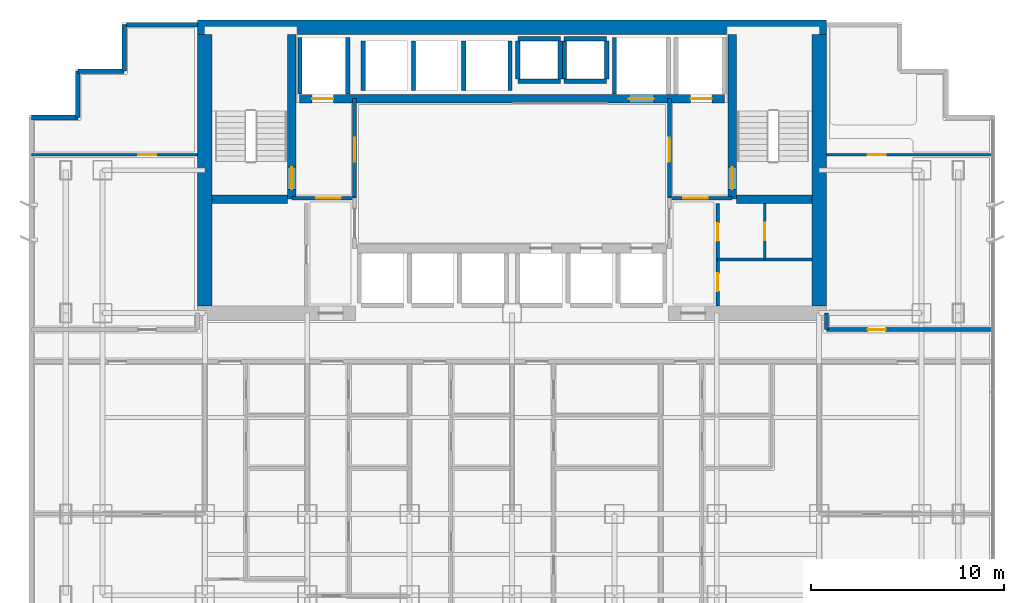
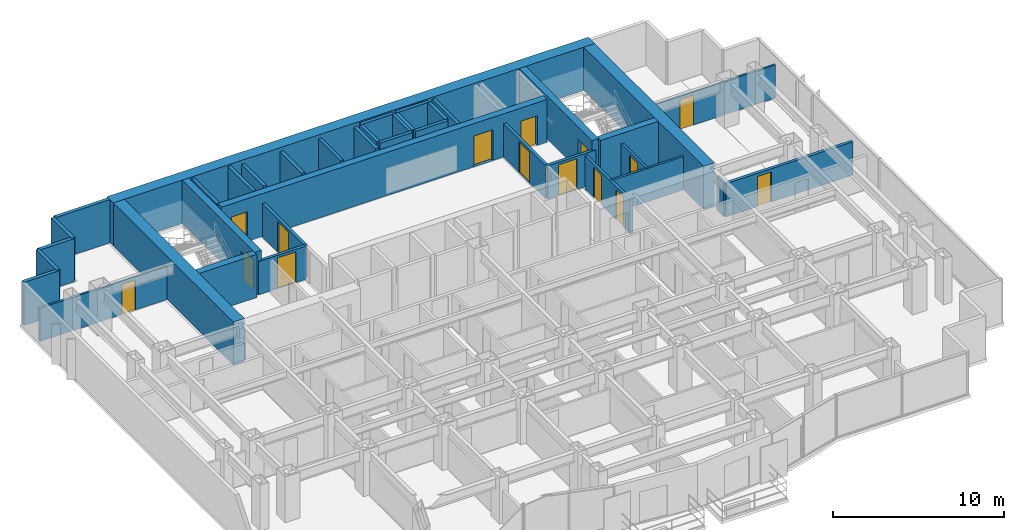
# One storey, part 9 of 12: 39 walls, 15 doors, 15 openings.
"""IFC4 building model written with IfcOpenShell, lengths in metres."""

from ifc_helpers import new_model, si_unit, direction, frame, frame_2d, origin, place, context, subcontext, project, spatial, rectangle, extrude, material, layer, layer_set, type_object, element, fill, save


model = new_model("IFC4")

# Units and contexts
model_context = context("Model", 3, precision=1e-05, world=origin(), true_north=direction((0.0, 1.0)))
body_context = subcontext(model_context, "Body", "Model", "MODEL_VIEW")
ifc_project = project(units=[si_unit("LENGTHUNIT", "METRE"), si_unit("AREAUNIT", "SQUARE_METRE"), si_unit("VOLUMEUNIT", "CUBIC_METRE"), si_unit("PLANEANGLEUNIT", "RADIAN"), si_unit("MASSUNIT", "GRAM", prefix="KILO")], contexts=[model_context])

# Site, building, storey
site_placement = place(None, origin())
site = spatial("IfcSite", under=ifc_project, at=site_placement, CompositionType="ELEMENT")
building_placement = place(site_placement, origin())
building = spatial("IfcBuilding", under=site, at=building_placement, Name="Qianlan Lanfeng Residences", CompositionType="ELEMENT")
storey_placement = place(building_placement, frame((0.0, 0.0, 81.699951171875)))
storey = spatial("IfcBuildingStorey", under=building, at=storey_placement, Name="L21", CompositionType="ELEMENT", Elevation=81.699951171875)

# Wall, opening, door
ifc_material_1 = material(Name="Concrete C60", Category="concrete")
ifc_layer_1 = layer(ifc_material_1, 0.449951171875)
ifc_layer_set_1 = layer_set([ifc_layer_1], Name="Concrete C60")
wall_type_1 = type_object("IfcWallType", Name="CW-RC-450", PredefinedType="SHEAR", material=ifc_layer_set_1)
wall_1_placement = place(storey_placement, frame((15.10009765625, 31.10009765625, 0.0), z_axis=(0.0, 0.0, 1.0), x_axis=(0.0, 1.0, 0.0)))
wall_1 = element("IfcWall", 1, at=wall_1_placement, inside=storey, type_object=wall_type_1, Name="L21 Core Shear Wall ST1E", PredefinedType="SHEAR", context=body_context, shape_type="SweptSolid", body=[
    extrude(rectangle(XDim=8.52490234375, YDim=0.449951171875, at=frame_2d((4.262451171875, 0.0))), origin(), (0.0, 0.0, 1.0), 3.090087890625),
])
opening_1_placement = place(wall_1_placement, frame((0.510009765625, 0.0, 0.0)))
opening_1 = element("IfcOpeningElement", 2, at=opening_1_placement, cuts=wall_1, Name="Opening L21-D07", PredefinedType="OPENING", context=body_context, shape_type="SweptSolid", body=[
    extrude(rectangle(XDim=1.14990234375, YDim=2.199951171875, at=frame_2d((0.574951171875, 1.10009765625))), frame((0.0, 0.23486328125, 0.0), z_axis=(0.0, -1.0, 0.0), x_axis=(1.0, 0.0, 0.0)), (0.0, 0.0, 1.0), 0.469970703125),
])
ifc_material_2 = material(Name="Painted Galvanised Steel Fire Door", Category="steel")
door_type_1 = type_object("IfcDoorType", Name="DT-ST1", OperationType="NOTDEFINED", PredefinedType="DOOR", material=ifc_material_2)
door_1_placement = place(opening_1_placement, frame((1.14990234375, 0.0, 0.0), z_axis=(0.0, 0.0, 1.0), x_axis=(-1.0, 0.0, 0.0)))
door_1 = element("IfcDoor", 3, at=door_1_placement, inside=storey, type_object=door_type_1, Name="L21 Exit Stair ST-1 Door L21-D07 (DT-ST1)", OperationType="SINGLE_SWING_RIGHT", OverallHeight=2.199951171875, OverallWidth=1.14990234375, PredefinedType="DOOR", context=body_context, shape_type="SweptSolid", body=[
    extrude(rectangle(XDim=1.14990234375, YDim=2.199951171875, at=frame_2d((0.574951171875, 1.10009765625))), frame((0.0, 0.02490234375, 0.0), z_axis=(0.0, -1.0, 0.0), x_axis=(1.0, 0.0, 0.0)), (0.0, 0.0, 1.0), 0.050048828125),
])
fill(opening_1, door_1)

# Wall
wall_2_placement = place(storey_placement, frame((10.97509765625, 31.10009765625, 0.0), z_axis=(0.0, 0.0, 1.0), x_axis=(1.0, 0.0, 0.0)))
element("IfcWall", 4, at=wall_2_placement, inside=storey, type_object=wall_type_1, Name="L21 Core Shear Wall ST1S", PredefinedType="SHEAR", context=body_context, shape_type="SweptSolid", body=[
    extrude(rectangle(XDim=3.89990234375, YDim=0.449951171875, at=frame_2d((1.949951171875, 0.0))), origin(), (0.0, 0.0, 1.0), 3.090087890625),
])

# Wall, opening, door
wall_3_placement = place(storey_placement, frame((37.89990234375, 31.10009765625, 0.0), z_axis=(0.0, 0.0, 1.0), x_axis=(0.0, 1.0, 0.0)))
wall_3 = element("IfcWall", 5, at=wall_3_placement, inside=storey, type_object=wall_type_1, Name="L21 Core Shear Wall ST2W", PredefinedType="SHEAR", context=body_context, shape_type="SweptSolid", body=[
    extrude(rectangle(XDim=8.52490234375, YDim=0.449951171875, at=frame_2d((4.262451171875, 0.0))), origin(), (0.0, 0.0, 1.0), 3.090087890625),
])
opening_2_placement = place(wall_3_placement, frame((0.510009765625, 0.0, 0.0)))
opening_2 = element("IfcOpeningElement", 6, at=opening_2_placement, cuts=wall_3, Name="Opening L21-D08", PredefinedType="OPENING", context=body_context, shape_type="SweptSolid", body=[
    extrude(rectangle(XDim=1.14990234375, YDim=2.199951171875, at=frame_2d((0.574951171875, 1.10009765625))), frame((0.0, 0.23486328125, 0.0), z_axis=(0.0, -1.0, 0.0), x_axis=(1.0, 0.0, 0.0)), (0.0, 0.0, 1.0), 0.469970703125),
])
door_2_placement = place(opening_2_placement, origin())
door_2 = element("IfcDoor", 7, at=door_2_placement, inside=storey, type_object=door_type_1, Name="L21 Exit Stair ST-2 Door L21-D08 (DT-ST1)", OperationType="SINGLE_SWING_RIGHT", OverallHeight=2.199951171875, OverallWidth=1.14990234375, PredefinedType="DOOR", context=body_context, shape_type="SweptSolid", body=[
    extrude(rectangle(XDim=1.14990234375, YDim=2.199951171875, at=frame_2d((0.574951171875, 1.10009765625))), frame((0.0, 0.02490234375, 0.0), z_axis=(0.0, -1.0, 0.0), x_axis=(1.0, 0.0, 0.0)), (0.0, 0.0, 1.0), 0.050048828125),
])
fill(opening_2, door_2)

# Wall
wall_4_placement = place(storey_placement, frame((38.125, 31.10009765625, 0.0), z_axis=(0.0, 0.0, 1.0), x_axis=(1.0, 0.0, 0.0)))
element("IfcWall", 8, at=wall_4_placement, inside=storey, type_object=wall_type_1, Name="L21 Core Shear Wall ST2S", PredefinedType="SHEAR", context=body_context, shape_type="SweptSolid", body=[
    extrude(rectangle(XDim=3.89990234375, YDim=0.449951171875, at=frame_2d((1.949951171875, 0.0))), origin(), (0.0, 0.0, 1.0), 3.090087890625),
])

# Wall, openings, doors
wall_5_placement = place(storey_placement, frame((15.5, 36.300048828125, 0.0), z_axis=(0.0, 0.0, 1.0), x_axis=(1.0, 0.0, 0.0)))
wall_5 = element("IfcWall", 9, at=wall_5_placement, inside=storey, type_object=wall_type_1, Name="L21 Core Shear Wall LBN", PredefinedType="SHEAR", context=body_context, shape_type="SweptSolid", body=[
    extrude(rectangle(XDim=22.0, YDim=0.449951171875, at=frame_2d((11.0, 0.0))), origin(), (0.0, 0.0, 1.0), 3.090087890625),
])
opening_3_placement = place(wall_5_placement, frame((0.64990234375, 0.0, 0.0)))
opening_3 = element("IfcOpeningElement", 10, at=opening_3_placement, cuts=wall_5, Name="Opening L21-LD-FFL-1", PredefinedType="OPENING", context=body_context, shape_type="SweptSolid", body=[
    extrude(rectangle(XDim=1.10009765625, YDim=2.14990234375, at=frame_2d((0.550048828125, 1.074951171875))), frame((0.0, 0.23486328125, 0.0), z_axis=(0.0, -1.0, 0.0), x_axis=(1.0, 0.0, 0.0)), (0.0, 0.0, 1.0), 0.469970703125),
])
opening_4_placement = place(wall_5_placement, frame((20.25, 0.0, 0.0)))
opening_4 = element("IfcOpeningElement", 11, at=opening_4_placement, cuts=wall_5, Name="Opening L21-LD-FFL-2", PredefinedType="OPENING", context=body_context, shape_type="SweptSolid", body=[
    extrude(rectangle(XDim=1.10009765625, YDim=2.14990234375, at=frame_2d((0.550048828125, 1.074951171875))), frame((0.0, 0.23486328125, 0.0), z_axis=(0.0, -1.0, 0.0), x_axis=(1.0, 0.0, 0.0)), (0.0, 0.0, 1.0), 0.469970703125),
])
opening_5_placement = place(wall_5_placement, frame((17.050048828125, 0.0, 0.0)))
opening_5 = element("IfcOpeningElement", 12, at=opening_5_placement, cuts=wall_5, Name="Opening L21-LD-SVL-1", PredefinedType="OPENING", context=body_context, shape_type="SweptSolid", body=[
    extrude(rectangle(XDim=1.300048828125, YDim=2.199951171875, at=frame_2d((0.64990234375, 1.10009765625))), frame((0.0, 0.23486328125, 0.0), z_axis=(0.0, -1.0, 0.0), x_axis=(1.0, 0.0, 0.0)), (0.0, 0.0, 1.0), 0.469970703125),
])
ifc_material_3 = material(Name="Brushed Stainless Steel Sliding Lift Door", Category="steel")
door_type_2 = type_object("IfcDoorType", Name="LD-01", OperationType="NOTDEFINED", PredefinedType="DOOR", material=ifc_material_3)
door_3_placement = place(opening_3_placement, frame((1.10009765625, 0.0, 0.0), z_axis=(0.0, 0.0, 1.0), x_axis=(-1.0, 0.0, 0.0)))
door_3 = element("IfcDoor", 13, at=door_3_placement, inside=storey, type_object=door_type_2, Name="L21 Elevator FFL-1 Sliding Landing Door", OperationType="DOUBLE_DOOR_SLIDING", OverallHeight=2.14990234375, OverallWidth=1.10009765625, PredefinedType="DOOR", context=body_context, shape_type="SweptSolid", body=[
    extrude(rectangle(XDim=1.10009765625, YDim=2.14990234375, at=frame_2d((0.550048828125, 1.074951171875))), frame((0.0, 0.02490234375, 0.0), z_axis=(0.0, -1.0, 0.0), x_axis=(1.0, 0.0, 0.0)), (0.0, 0.0, 1.0), 0.050048828125),
])
fill(opening_3, door_3)
door_4_placement = place(opening_4_placement, frame((1.10009765625, 0.0, 0.0), z_axis=(0.0, 0.0, 1.0), x_axis=(-1.0, 0.0, 0.0)))
door_4 = element("IfcDoor", 14, at=door_4_placement, inside=storey, type_object=door_type_2, Name="L21 Elevator FFL-2 Sliding Landing Door", OperationType="DOUBLE_DOOR_SLIDING", OverallHeight=2.14990234375, OverallWidth=1.10009765625, PredefinedType="DOOR", context=body_context, shape_type="SweptSolid", body=[
    extrude(rectangle(XDim=1.10009765625, YDim=2.14990234375, at=frame_2d((0.550048828125, 1.074951171875))), frame((0.0, 0.02490234375, 0.0), z_axis=(0.0, -1.0, 0.0), x_axis=(1.0, 0.0, 0.0)), (0.0, 0.0, 1.0), 0.050048828125),
])
fill(opening_4, door_4)
door_type_3 = type_object("IfcDoorType", Name="LD-02", OperationType="NOTDEFINED", PredefinedType="DOOR", material=ifc_material_3)
door_5_placement = place(opening_5_placement, frame((1.300048828125, 0.0, 0.0), z_axis=(0.0, 0.0, 1.0), x_axis=(-1.0, 0.0, 0.0)))
door_5 = element("IfcDoor", 15, at=door_5_placement, inside=storey, type_object=door_type_3, Name="L21 Elevator SVL-1 Sliding Landing Door", OperationType="DOUBLE_DOOR_SLIDING", OverallHeight=2.199951171875, OverallWidth=1.300048828125, PredefinedType="DOOR", context=body_context, shape_type="SweptSolid", body=[
    extrude(rectangle(XDim=1.300048828125, YDim=2.199951171875, at=frame_2d((0.64990234375, 1.10009765625))), frame((0.0, 0.02490234375, 0.0), z_axis=(0.0, -1.0, 0.0), x_axis=(1.0, 0.0, 0.0)), (0.0, 0.0, 1.0), 0.050048828125),
])
fill(opening_5, door_5)

# Walls
ifc_layer_2 = layer(ifc_material_1, 0.75)
ifc_layer_set_2 = layer_set([ifc_layer_2], Name="Concrete C60")
wall_type_2 = type_object("IfcWallType", Name="CW-RC-750", PredefinedType="SHEAR", material=ifc_layer_set_2)
wall_6_placement = place(storey_placement, frame((10.22509765625, 40.0, 0.0), z_axis=(0.0, 0.0, 1.0), x_axis=(1.0, 0.0, 0.0)))
element("IfcWall", 16, at=wall_6_placement, inside=storey, type_object=wall_type_2, Name="L21 Core Shear Wall N", PredefinedType="SHEAR", context=body_context, shape_type="SweptSolid", body=[
    extrude(rectangle(XDim=32.5498046875, YDim=0.75, at=frame_2d((16.27490234375, 0.0))), origin(), (0.0, 0.0, 1.0), 3.090087890625),
])
for number, where, z_axis, x_axis, name in (
    (17, (10.60009765625, 25.574951171875, 0.0), (0.0, 0.0, 1.0), (0.0, 1.0, 0.0), "L21 Core Shear Wall W"),
    (18, (42.39990234375, 25.574951171875, 0.0), (0.0, 0.0, 1.0), (0.0, 1.0, 0.0), "L21 Core Shear Wall E"),
):
    element("IfcWall", number, at=place(storey_placement, frame(where, z_axis=z_axis, x_axis=x_axis)), inside=storey, type_object=wall_type_2, Name=name, PredefinedType="SHEAR", context=body_context, shape_type="SweptSolid", body=[
        extrude(rectangle(XDim=14.050048828125, YDim=0.75, at=frame_2d((7.02490234375, 0.0))), origin(), (0.0, 0.0, 1.0), 3.090087890625),
    ])
ifc_material_4 = material(Name="Concrete C42", Category="concrete")
ifc_layer_3 = layer(ifc_material_4, 0.239990234375)
ifc_layer_set_3 = layer_set([ifc_layer_3], Name="Concrete C42")
wall_type_3 = type_object("IfcWallType", Name="EW-240", PredefinedType="SOLIDWALL", material=ifc_layer_set_3)
wall_7_placement = place(storey_placement, frame((10.22509765625, 40.1298828125, 0.0), z_axis=(0.0, 0.0, 1.0), x_axis=(-1.0, 0.0, 0.0)))
element("IfcWall", 19, at=wall_7_placement, inside=storey, type_object=wall_type_3, Name="L21 North Wing Exterior Wall W", PredefinedType="SOLIDWALL", context=body_context, shape_type="SweptSolid", body=[
    extrude(rectangle(XDim=3.675048828125, YDim=0.239990234375, at=frame_2d((1.83740234375, 0.0))), origin(), (0.0, 0.0, 1.0), 3.090087890625),
])
for number, where, z_axis, x_axis, name in (
    (20, (6.419921875, 40.1298828125, 0.0), (0.0, 0.0, 1.0), (0.0, -1.0, 0.0), "L21 Exterior Facade Spandrel Wall 17"),
    (21, (6.419921875, 37.72998046875, 0.0), (0.0, 0.0, 1.0), (-1.0, 0.0, 0.0), "L21 Exterior Facade Spandrel Wall 18"),
    (22, (4.02001953125, 37.72998046875, 0.0), (0.0, 0.0, 1.0), (0.0, -1.0, 0.0), "L21 Exterior Facade Spandrel Wall 19"),
    (23, (4.02001953125, 35.330078125, 0.0), (0.0, 0.0, 1.0), (-1.0, 0.0, 0.0), "L21 Exterior Facade Spandrel Wall 20"),
):
    element("IfcWall", number, at=place(storey_placement, frame(where, z_axis=z_axis, x_axis=x_axis)), inside=storey, type_object=wall_type_3, Name=name, PredefinedType="SOLIDWALL", context=body_context, shape_type="SweptSolid", body=[
        extrude(rectangle(XDim=2.39990234375, YDim=0.239990234375, at=frame_2d((1.199951171875, 0.0))), origin(), (0.0, 0.0, 1.0), 3.090087890625),
    ])

# Wall, opening, door
ifc_material_5 = material(Name="Moisture-Resistant Gypsum Partition 135 mm")
ifc_layer_4 = layer(ifc_material_5, 0.135009765625)
ifc_layer_set_4 = layer_set([ifc_layer_4], Name="Moisture-Resistant Gypsum Partition 135 mm")
wall_type_4 = type_object("IfcWallType", Name="PW-135", PredefinedType="PARTITIONING", material=ifc_layer_set_4)
wall_8_placement = place(storey_placement, frame((1.6201171875, 33.39990234375, 0.0), z_axis=(0.0, 0.0, 1.0), x_axis=(1.0, 0.0, 0.0)))
wall_8 = element("IfcWall", 24, at=wall_8_placement, inside=storey, type_object=wall_type_4, Name="L21 WW North Wing Wall", PredefinedType="PARTITIONING", context=body_context, shape_type="SweptSolid", body=[
    extrude(rectangle(XDim=8.60498046875, YDim=0.135009765625, at=frame_2d((4.302490234375, 0.0))), origin(), (0.0, 0.0, 1.0), 2.380126953125),
])
opening_6_placement = place(wall_8_placement, frame((5.5419921875, 0.0, 0.0)))
opening_6 = element("IfcOpeningElement", 25, at=opening_6_placement, cuts=wall_8, Name="Opening L21-D44", PredefinedType="OPENING", context=body_context, shape_type="SweptSolid", body=[
    extrude(rectangle(XDim=0.919921875, YDim=2.14990234375, at=frame_2d((0.4599609375, 1.074951171875))), frame((0.0, 0.07763671875, 0.0), z_axis=(0.0, -1.0, 0.0), x_axis=(1.0, 0.0, 0.0)), (0.0, 0.0, 1.0), 0.155029296875),
])
ifc_material_6 = material(Name="Glazed Timber Kitchen/Study Door", Category="wood")
door_type_4 = type_object("IfcDoorType", Name="DT-INT", OperationType="NOTDEFINED", PredefinedType="DOOR", material=ifc_material_6)
door_6_placement = place(opening_6_placement, origin())
door_6 = element("IfcDoor", 26, at=door_6_placement, inside=storey, type_object=door_type_4, Name="L21 WW Inner Salon Door L21-D44 (DT-INT)", OperationType="SINGLE_SWING_LEFT", OverallHeight=2.14990234375, OverallWidth=0.919921875, PredefinedType="DOOR", context=body_context, shape_type="SweptSolid", body=[
    extrude(rectangle(XDim=0.919921875, YDim=2.14990234375, at=frame_2d((0.4599609375, 1.074951171875))), frame((0.0, 0.02490234375, 0.0), z_axis=(0.0, -1.0, 0.0), x_axis=(1.0, 0.0, 0.0)), (0.0, 0.0, 1.0), 0.050048828125),
])
fill(opening_6, door_6)

wall_9_placement = place(storey_placement, frame((42.77490234375, 33.39990234375, 0.0), z_axis=(0.0, 0.0, 1.0), x_axis=(1.0, 0.0, 0.0)))
wall_9 = element("IfcWall", 27, at=wall_9_placement, inside=storey, type_object=wall_type_4, Name="L21 EW North Wing Wall", PredefinedType="PARTITIONING", context=body_context, shape_type="SweptSolid", body=[
    extrude(rectangle(XDim=8.60498046875, YDim=0.135009765625, at=frame_2d((4.302490234375, 0.0))), origin(), (0.0, 0.0, 1.0), 2.380126953125),
])
opening_7_placement = place(wall_9_placement, frame((2.14306640625, 0.0, 0.0)))
opening_7 = element("IfcOpeningElement", 28, at=opening_7_placement, cuts=wall_9, Name="Opening L21-D46", PredefinedType="OPENING", context=body_context, shape_type="SweptSolid", body=[
    extrude(rectangle(XDim=0.919921875, YDim=2.14990234375, at=frame_2d((0.4599609375, 1.074951171875))), frame((0.0, 0.07763671875, 0.0), z_axis=(0.0, -1.0, 0.0), x_axis=(1.0, 0.0, 0.0)), (0.0, 0.0, 1.0), 0.155029296875),
])
door_7_placement = place(opening_7_placement, origin())
door_7 = element("IfcDoor", 29, at=door_7_placement, inside=storey, type_object=door_type_4, Name="L21 EW Inner Salon Door L21-D46 (DT-INT)", OperationType="SINGLE_SWING_LEFT", OverallHeight=2.14990234375, OverallWidth=0.919921875, PredefinedType="DOOR", context=body_context, shape_type="SweptSolid", body=[
    extrude(rectangle(XDim=0.919921875, YDim=2.14990234375, at=frame_2d((0.4599609375, 1.074951171875))), frame((0.0, 0.02490234375, 0.0), z_axis=(0.0, -1.0, 0.0), x_axis=(1.0, 0.0, 0.0)), (0.0, 0.0, 1.0), 0.050048828125),
])
fill(opening_7, door_7)

# Wall
ifc_material_7 = material(Name="Acoustic Drywall Partition 150 mm")
ifc_layer_5 = layer(ifc_material_7, 0.14990234375)
ifc_layer_set_5 = layer_set([ifc_layer_5], Name="Acoustic Drywall Partition 150 mm")
wall_type_5 = type_object("IfcWallType", Name="PW-150", PredefinedType="PARTITIONING", material=ifc_layer_set_5)
wall_10_placement = place(storey_placement, frame((37.14990234375, 27.97509765625, 0.0), z_axis=(0.0, 0.0, 1.0), x_axis=(1.0, 0.0, 0.0)))
element("IfcWall", 30, at=wall_10_placement, inside=storey, type_object=wall_type_5, Name="L21 Core East H Split", PredefinedType="PARTITIONING", context=body_context, shape_type="SweptSolid", body=[
    extrude(rectangle(XDim=4.875, YDim=0.14990234375, at=frame_2d((2.4375, 0.0))), origin(), (0.0, 0.0, 1.0), 2.380126953125),
])

# Wall, opening, door
wall_11_placement = place(storey_placement, frame((39.5869140625, 27.97509765625, 0.0), z_axis=(0.0, 0.0, 1.0), x_axis=(0.0, 1.0, 0.0)))
wall_11 = element("IfcWall", 31, at=wall_11_placement, inside=storey, type_object=wall_type_5, Name="L21 Core East V Split", PredefinedType="PARTITIONING", context=body_context, shape_type="SweptSolid", body=[
    extrude(rectangle(XDim=2.89990234375, YDim=0.14990234375, at=frame_2d((1.449951171875, 0.0))), origin(), (0.0, 0.0, 1.0), 2.380126953125),
])
opening_8_placement = place(wall_11_placement, frame((0.989990234375, 0.0, 0.0)))
opening_8 = element("IfcOpeningElement", 32, at=opening_8_placement, cuts=wall_11, Name="Opening L21-D12", PredefinedType="OPENING", context=body_context, shape_type="SweptSolid", body=[
    extrude(rectangle(XDim=0.919921875, YDim=2.14990234375, at=frame_2d((0.4599609375, 1.074951171875))), frame((0.0, 0.0849609375, 0.0), z_axis=(0.0, -1.0, 0.0), x_axis=(1.0, 0.0, 0.0)), (0.0, 0.0, 1.0), 0.169921875),
])
door_8_placement = place(opening_8_placement, origin())
door_8 = element("IfcDoor", 33, at=door_8_placement, inside=storey, type_object=door_type_4, Name="L21 Inner Supply Closet Door L21-D12 (DT-INT)", OperationType="SINGLE_SWING_LEFT", OverallHeight=2.14990234375, OverallWidth=0.919921875, PredefinedType="DOOR", context=body_context, shape_type="SweptSolid", body=[
    extrude(rectangle(XDim=0.919921875, YDim=2.14990234375, at=frame_2d((0.4599609375, 1.074951171875))), frame((0.0, 0.02490234375, 0.0), z_axis=(0.0, -1.0, 0.0), x_axis=(1.0, 0.0, 0.0)), (0.0, 0.0, 1.0), 0.050048828125),
])
fill(opening_8, door_8)

# Wall, openings, doors
ifc_material_8 = material(Name="Double-Layer Acoustic Gypsum Stud Wall 180 mm")
ifc_layer_6 = layer(ifc_material_8, 0.179931640625)
ifc_layer_set_6 = layer_set([ifc_layer_6], Name="Double-Layer Acoustic Gypsum Stud Wall 180 mm")
wall_type_6 = type_object("IfcWallType", Name="PW-180", PredefinedType="PARTITIONING", material=ifc_layer_set_6)
wall_12_placement = place(storey_placement, frame((37.14990234375, 25.574951171875, 0.0), z_axis=(0.0, 0.0, 1.0), x_axis=(0.0, 1.0, 0.0)))
wall_12 = element("IfcWall", 34, at=wall_12_placement, inside=storey, type_object=wall_type_6, Name="L21 Core East Service Room Wall", PredefinedType="PARTITIONING", context=body_context, shape_type="SweptSolid", body=[
    extrude(rectangle(XDim=5.300048828125, YDim=0.179931640625, at=frame_2d((2.64990234375, 0.0))), origin(), (0.0, 0.0, 1.0), 2.380126953125),
])
opening_9_placement = place(wall_12_placement, frame((0.764892578125, 0.0, 0.0)))
opening_9 = element("IfcOpeningElement", 35, at=opening_9_placement, cuts=wall_12, Name="Opening L21-D10", PredefinedType="OPENING", context=body_context, shape_type="SweptSolid", body=[
    extrude(rectangle(XDim=0.919921875, YDim=2.14990234375, at=frame_2d((0.4599609375, 1.074951171875))), frame((0.0, 0.10009765625, 0.0), z_axis=(0.0, -1.0, 0.0), x_axis=(1.0, 0.0, 0.0)), (0.0, 0.0, 1.0), 0.199951171875),
])
opening_10_placement = place(wall_12_placement, frame((3.364990234375, 0.0, 0.0)))
opening_10 = element("IfcOpeningElement", 36, at=opening_10_placement, cuts=wall_12, Name="Opening L21-D11", PredefinedType="OPENING", context=body_context, shape_type="SweptSolid", body=[
    extrude(rectangle(XDim=0.919921875, YDim=2.14990234375, at=frame_2d((0.4599609375, 1.074951171875))), frame((0.0, 0.10009765625, 0.0), z_axis=(0.0, -1.0, 0.0), x_axis=(1.0, 0.0, 0.0)), (0.0, 0.0, 1.0), 0.199951171875),
])
door_9_placement = place(opening_9_placement, origin())
door_9 = element("IfcDoor", 37, at=door_9_placement, inside=storey, type_object=door_type_4, Name="L21 Refuse Room Door L21-D10 (DT-INT)", OperationType="SINGLE_SWING_LEFT", OverallHeight=2.14990234375, OverallWidth=0.919921875, PredefinedType="DOOR", context=body_context, shape_type="SweptSolid", body=[
    extrude(rectangle(XDim=0.919921875, YDim=2.14990234375, at=frame_2d((0.4599609375, 1.074951171875))), frame((0.0, 0.02490234375, 0.0), z_axis=(0.0, -1.0, 0.0), x_axis=(1.0, 0.0, 0.0)), (0.0, 0.0, 1.0), 0.050048828125),
])
fill(opening_9, door_9)
door_10_placement = place(opening_10_placement, origin())
door_10 = element("IfcDoor", 38, at=door_10_placement, inside=storey, type_object=door_type_4, Name="L21 Janitor Outer Door L21-D11 (DT-INT)", OperationType="SINGLE_SWING_RIGHT", OverallHeight=2.14990234375, OverallWidth=0.919921875, PredefinedType="DOOR", context=body_context, shape_type="SweptSolid", body=[
    extrude(rectangle(XDim=0.919921875, YDim=2.14990234375, at=frame_2d((0.4599609375, 1.074951171875))), frame((0.0, 0.02490234375, 0.0), z_axis=(0.0, -1.0, 0.0), x_axis=(1.0, 0.0, 0.0)), (0.0, 0.0, 1.0), 0.050048828125),
])
fill(opening_10, door_10)

# Wall, opening, door
ifc_material_9 = material(Name="Autoclaved Aerated Concrete Blockwork 200 mm", Category="masonry")
ifc_layer_7 = layer(ifc_material_9, 0.199951171875)
ifc_layer_set_7 = layer_set([ifc_layer_7], Name="Autoclaved Aerated Concrete Blockwork 200 mm")
wall_type_7 = type_object("IfcWallType", Name="PW-200", PredefinedType="PARTITIONING", material=ifc_layer_set_7)
wall_13_placement = place(storey_placement, frame((15.10009765625, 31.14990234375, 0.0), z_axis=(0.0, 0.0, 1.0), x_axis=(1.0, 0.0, 0.0)))
wall_13 = element("IfcWall", 39, at=wall_13_placement, inside=storey, type_object=wall_type_7, Name="L21 Firefighting Lobby 1 South Wall", PredefinedType="PARTITIONING", context=body_context, shape_type="SweptSolid", body=[
    extrude(rectangle(XDim=3.25, YDim=0.199951171875, at=frame_2d((1.625, 0.0))), origin(), (0.0, 0.0, 1.0), 2.380126953125),
])
opening_11_placement = place(wall_13_placement, frame((1.27490234375, 0.0, 0.0)))
opening_11 = element("IfcOpeningElement", 40, at=opening_11_placement, cuts=wall_13, Name="Opening L21-D03", PredefinedType="OPENING", context=body_context, shape_type="SweptSolid", body=[
    extrude(rectangle(XDim=1.25, YDim=2.199951171875, at=frame_2d((0.625, 1.10009765625))), frame((0.0, 0.10986328125, 0.0), z_axis=(0.0, -1.0, 0.0), x_axis=(1.0, 0.0, 0.0)), (0.0, 0.0, 1.0), 0.219970703125),
])
door_type_5 = type_object("IfcDoorType", Name="DT-FFL", OperationType="NOTDEFINED", PredefinedType="DOOR", material=ifc_material_2)
door_11_placement = place(opening_11_placement, origin())
door_11 = element("IfcDoor", 41, at=door_11_placement, inside=storey, type_object=door_type_5, Name="L21 Firefighting Lobby 1 Entry Door L21-D03 (DT-FFL)", OperationType="SINGLE_SWING_LEFT", OverallHeight=2.199951171875, OverallWidth=1.25, PredefinedType="DOOR", context=body_context, shape_type="SweptSolid", body=[
    extrude(rectangle(XDim=1.25, YDim=2.199951171875, at=frame_2d((0.625, 1.10009765625))), frame((0.0, 0.02490234375, 0.0), z_axis=(0.0, -1.0, 0.0), x_axis=(1.0, 0.0, 0.0)), (0.0, 0.0, 1.0), 0.050048828125),
])
fill(opening_11, door_11)

wall_14_placement = place(storey_placement, frame((18.35009765625, 31.14990234375, 0.0), z_axis=(0.0, 0.0, 1.0), x_axis=(0.0, 1.0, 0.0)))
wall_14 = element("IfcWall", 42, at=wall_14_placement, inside=storey, type_object=wall_type_7, Name="L21 Firefighting Lobby 1 East Wall", PredefinedType="PARTITIONING", context=body_context, shape_type="SweptSolid", body=[
    extrude(rectangle(XDim=5.150146484375, YDim=0.199951171875, at=frame_2d((2.5751953125, 0.0))), origin(), (0.0, 0.0, 1.0), 2.380126953125),
])
opening_12_placement = place(wall_14_placement, frame((1.875, 0.0, 0.0)))
opening_12 = element("IfcOpeningElement", 43, at=opening_12_placement, cuts=wall_14, Name="Opening L21-D04", PredefinedType="OPENING", context=body_context, shape_type="SweptSolid", body=[
    extrude(rectangle(XDim=1.25, YDim=2.199951171875, at=frame_2d((0.625, 1.10009765625))), frame((0.0, 0.10986328125, 0.0), z_axis=(0.0, -1.0, 0.0), x_axis=(1.0, 0.0, 0.0)), (0.0, 0.0, 1.0), 0.219970703125),
])
door_12_placement = place(opening_12_placement, origin())
door_12 = element("IfcDoor", 44, at=door_12_placement, inside=storey, type_object=door_type_5, Name="L21 Firefighting Lobby 1 Lift Lobby Door L21-D04 (DT-FFL)", OperationType="SINGLE_SWING_LEFT", OverallHeight=2.199951171875, OverallWidth=1.25, PredefinedType="DOOR", context=body_context, shape_type="SweptSolid", body=[
    extrude(rectangle(XDim=1.25, YDim=2.199951171875, at=frame_2d((0.625, 1.10009765625))), frame((0.0, 0.02490234375, 0.0), z_axis=(0.0, -1.0, 0.0), x_axis=(1.0, 0.0, 0.0)), (0.0, 0.0, 1.0), 0.050048828125),
])
fill(opening_12, door_12)

wall_15_placement = place(storey_placement, frame((34.64990234375, 31.14990234375, 0.0), z_axis=(0.0, 0.0, 1.0), x_axis=(1.0, 0.0, 0.0)))
wall_15 = element("IfcWall", 45, at=wall_15_placement, inside=storey, type_object=wall_type_7, Name="L21 Firefighting Lobby 2 South Wall", PredefinedType="PARTITIONING", context=body_context, shape_type="SweptSolid", body=[
    extrude(rectangle(XDim=3.25, YDim=0.199951171875, at=frame_2d((1.625, 0.0))), origin(), (0.0, 0.0, 1.0), 2.380126953125),
])
opening_13_placement = place(wall_15_placement, frame((0.72509765625, 0.0, 0.0)))
opening_13 = element("IfcOpeningElement", 46, at=opening_13_placement, cuts=wall_15, Name="Opening L21-D05", PredefinedType="OPENING", context=body_context, shape_type="SweptSolid", body=[
    extrude(rectangle(XDim=1.25, YDim=2.199951171875, at=frame_2d((0.625, 1.10009765625))), frame((0.0, 0.10986328125, 0.0), z_axis=(0.0, -1.0, 0.0), x_axis=(1.0, 0.0, 0.0)), (0.0, 0.0, 1.0), 0.219970703125),
])
door_13_placement = place(opening_13_placement, origin())
door_13 = element("IfcDoor", 47, at=door_13_placement, inside=storey, type_object=door_type_5, Name="L21 Firefighting Lobby 2 Entry Door L21-D05 (DT-FFL)", OperationType="SINGLE_SWING_RIGHT", OverallHeight=2.199951171875, OverallWidth=1.25, PredefinedType="DOOR", context=body_context, shape_type="SweptSolid", body=[
    extrude(rectangle(XDim=1.25, YDim=2.199951171875, at=frame_2d((0.625, 1.10009765625))), frame((0.0, 0.02490234375, 0.0), z_axis=(0.0, -1.0, 0.0), x_axis=(1.0, 0.0, 0.0)), (0.0, 0.0, 1.0), 0.050048828125),
])
fill(opening_13, door_13)

wall_16_placement = place(storey_placement, frame((34.64990234375, 31.14990234375, 0.0), z_axis=(0.0, 0.0, 1.0), x_axis=(0.0, 1.0, 0.0)))
wall_16 = element("IfcWall", 48, at=wall_16_placement, inside=storey, type_object=wall_type_7, Name="L21 Firefighting Lobby 2 West Wall", PredefinedType="PARTITIONING", context=body_context, shape_type="SweptSolid", body=[
    extrude(rectangle(XDim=5.150146484375, YDim=0.199951171875, at=frame_2d((2.5751953125, 0.0))), origin(), (0.0, 0.0, 1.0), 2.380126953125),
])
opening_14_placement = place(wall_16_placement, frame((1.875, 0.0, 0.0)))
opening_14 = element("IfcOpeningElement", 49, at=opening_14_placement, cuts=wall_16, Name="Opening L21-D06", PredefinedType="OPENING", context=body_context, shape_type="SweptSolid", body=[
    extrude(rectangle(XDim=1.25, YDim=2.199951171875, at=frame_2d((0.625, 1.10009765625))), frame((0.0, 0.10986328125, 0.0), z_axis=(0.0, -1.0, 0.0), x_axis=(1.0, 0.0, 0.0)), (0.0, 0.0, 1.0), 0.219970703125),
])
door_14_placement = place(opening_14_placement, origin())
door_14 = element("IfcDoor", 50, at=door_14_placement, inside=storey, type_object=door_type_5, Name="L21 Firefighting Lobby 2 Lift Lobby Door L21-D06 (DT-FFL)", OperationType="SINGLE_SWING_LEFT", OverallHeight=2.199951171875, OverallWidth=1.25, PredefinedType="DOOR", context=body_context, shape_type="SweptSolid", body=[
    extrude(rectangle(XDim=1.25, YDim=2.199951171875, at=frame_2d((0.625, 1.10009765625))), frame((0.0, 0.02490234375, 0.0), z_axis=(0.0, -1.0, 0.0), x_axis=(1.0, 0.0, 0.0)), (0.0, 0.0, 1.0), 0.050048828125),
])
fill(opening_14, door_14)

wall_17_placement = place(storey_placement, frame((42.77490234375, 24.35009765625, 0.0), z_axis=(0.0, 0.0, 1.0), x_axis=(1.0, 0.0, 0.0)))
wall_17 = element("IfcWall", 51, at=wall_17_placement, inside=storey, type_object=wall_type_7, Name="L21 Corridor NE Wall", PredefinedType="PARTITIONING", context=body_context, shape_type="SweptSolid", body=[
    extrude(rectangle(XDim=8.60498046875, YDim=0.199951171875, at=frame_2d((4.302490234375, 0.0))), origin(), (0.0, 0.0, 1.0), 2.380126953125),
])
opening_15_placement = place(wall_17_placement, frame((2.14306640625, 0.0, 0.0)))
opening_15 = element("IfcOpeningElement", 52, at=opening_15_placement, cuts=wall_17, Name="Opening L21-D47", PredefinedType="OPENING", context=body_context, shape_type="SweptSolid", body=[
    extrude(rectangle(XDim=0.919921875, YDim=2.14990234375, at=frame_2d((0.4599609375, 1.074951171875))), frame((0.0, 0.10986328125, 0.0), z_axis=(0.0, -1.0, 0.0), x_axis=(1.0, 0.0, 0.0)), (0.0, 0.0, 1.0), 0.219970703125),
])
door_15_placement = place(opening_15_placement, origin())
door_15 = element("IfcDoor", 53, at=door_15_placement, inside=storey, type_object=door_type_4, Name="L21 EW Amenity Salon Door L21-D47 (DT-INT)", OperationType="SINGLE_SWING_RIGHT", OverallHeight=2.14990234375, OverallWidth=0.919921875, PredefinedType="DOOR", context=body_context, shape_type="SweptSolid", body=[
    extrude(rectangle(XDim=0.919921875, YDim=2.14990234375, at=frame_2d((0.4599609375, 1.074951171875))), frame((0.0, 0.02490234375, 0.0), z_axis=(0.0, -1.0, 0.0), x_axis=(1.0, 0.0, 0.0)), (0.0, 0.0, 1.0), 0.050048828125),
])
fill(opening_15, door_15)

# Walls
wall_18_placement = place(storey_placement, frame((42.77490234375, 24.35009765625, 0.0), z_axis=(0.0, 0.0, 1.0), x_axis=(0.0, 1.0, 0.0)))
element("IfcWall", 54, at=wall_18_placement, inside=storey, type_object=wall_type_7, Name="L21 NE Wing Core Return Wall", PredefinedType="PARTITIONING", context=body_context, shape_type="SweptSolid", body=[
    extrude(rectangle(XDim=0.849853515625, YDim=0.199951171875, at=frame_2d((0.4248046875, 0.0))), origin(), (0.0, 0.0, 1.0), 2.380126953125),
])
ifc_material_10 = material(Name="Concrete C49", Category="concrete")
ifc_layer_8 = layer(ifc_material_10, 0.219970703125)
ifc_layer_set_8 = layer_set([ifc_layer_8], Name="Concrete C49")
wall_type_8 = type_object("IfcWallType", Name="SHW-220", PredefinedType="SOLIDWALL", material=ifc_layer_set_8)
for number, where, z_axis, x_axis, name in (
    (55, (15.52001953125, 36.550048828125, 0.0), (0.0, 0.0, 1.0), (0.0, 1.0, 0.0), "L21 Lift FFL-1 Shaft Wall W"),
    (56, (18.0, 36.550048828125, 0.0), (0.0, 0.0, 1.0), (0.0, 1.0, 0.0), "L21 Lift FFL-1 Shaft Wall E"),
    (57, (31.800048828125, 36.550048828125, 0.0), (0.0, 0.0, 1.0), (0.0, 1.0, 0.0), "L21 Lift SVL-1 Shaft Wall W"),
):
    element("IfcWall", number, at=place(storey_placement, frame(where, z_axis=z_axis, x_axis=x_axis)), inside=storey, type_object=wall_type_8, Name=name, PredefinedType="SOLIDWALL", context=body_context, shape_type="SweptSolid", body=[
        extrude(rectangle(XDim=2.929931640625, YDim=0.219970703125, at=frame_2d((1.46484375, 0.0))), origin(), (0.0, 0.0, 1.0), 3.090087890625),
    ])
for number, where, z_axis, x_axis, name in (
    (58, (18.800048828125, 36.719970703125, 0.0), (0.0, 0.0, 1.0), (0.0, 1.0, 0.0), "L21 Lift PL-H1 Shaft Wall W"),
    (59, (21.39990234375, 36.719970703125, 0.0), (0.0, 0.0, 1.0), (0.0, 1.0, 0.0), "L21 Lift PL-H2 Shaft Wall W"),
    (60, (24.0, 36.719970703125, 0.0), (0.0, 0.0, 1.0), (0.0, 1.0, 0.0), "L21 Lift PL-H3 Shaft Wall W"),
    (61, (26.39990234375, 36.719970703125, 0.0), (0.0, 0.0, 1.0), (0.0, 1.0, 0.0), "L21 Lift PL-H3 Shaft Wall E"),
):
    element("IfcWall", number, at=place(storey_placement, frame(where, z_axis=z_axis, x_axis=x_axis)), inside=storey, type_object=wall_type_8, Name=name, PredefinedType="SOLIDWALL", context=body_context, shape_type="SweptSolid", body=[
        extrude(rectangle(XDim=2.56005859375, YDim=0.219970703125, at=frame_2d((1.280029296875, 0.0))), origin(), (0.0, 0.0, 1.0), 3.090087890625),
    ])
for number, where, z_axis, x_axis, name in (
    (62, (26.800048828125, 37.31005859375, 0.0), (0.0, 0.0, 1.0), (0.0, 1.0, 0.0), "L21 MEP Riser MEP-R1 Shaft Wall W"),
    (63, (29.0, 37.31005859375, 0.0), (0.0, 0.0, 1.0), (0.0, 1.0, 0.0), "L21 MEP Riser MEP-R1 Shaft Wall E"),
):
    element("IfcWall", number, at=place(storey_placement, frame(where, z_axis=z_axis, x_axis=x_axis)), inside=storey, type_object=wall_type_8, Name=name, PredefinedType="SOLIDWALL", context=body_context, shape_type="SweptSolid", body=[
        extrude(rectangle(XDim=1.97998046875, YDim=0.219970703125, at=frame_2d((0.989990234375, 0.0))), origin(), (0.0, 0.0, 1.0), 3.090087890625),
    ])
for number, where, z_axis, x_axis, name in (
    (64, (26.800048828125, 39.39990234375, 0.0), (0.0, 0.0, 1.0), (1.0, 0.0, 0.0), "L21 MEP Riser MEP-R1 Shaft Wall N"),
    (65, (26.800048828125, 37.199951171875, 0.0), (0.0, 0.0, 1.0), (1.0, 0.0, 0.0), "L21 MEP Riser MEP-R1 Shaft Wall S"),
):
    element("IfcWall", number, at=place(storey_placement, frame(where, z_axis=z_axis, x_axis=x_axis)), inside=storey, type_object=wall_type_8, Name=name, PredefinedType="SOLIDWALL", context=body_context, shape_type="SweptSolid", body=[
        extrude(rectangle(XDim=2.199951171875, YDim=0.219970703125, at=frame_2d((1.10009765625, 0.0))), origin(), (0.0, 0.0, 1.0), 3.090087890625),
    ])
for number, where, z_axis, x_axis, name in (
    (66, (29.199951171875, 37.31005859375, 0.0), (0.0, 0.0, 1.0), (0.0, 1.0, 0.0), "L21 MEP Riser MEP-R2 Shaft Wall W"),
    (67, (31.39990234375, 37.31005859375, 0.0), (0.0, 0.0, 1.0), (0.0, 1.0, 0.0), "L21 MEP Riser MEP-R2 Shaft Wall E"),
):
    element("IfcWall", number, at=place(storey_placement, frame(where, z_axis=z_axis, x_axis=x_axis)), inside=storey, type_object=wall_type_8, Name=name, PredefinedType="SOLIDWALL", context=body_context, shape_type="SweptSolid", body=[
        extrude(rectangle(XDim=1.97998046875, YDim=0.219970703125, at=frame_2d((0.989990234375, 0.0))), origin(), (0.0, 0.0, 1.0), 3.090087890625),
    ])
for number, where, z_axis, x_axis, name in (
    (68, (29.199951171875, 39.39990234375, 0.0), (0.0, 0.0, 1.0), (1.0, 0.0, 0.0), "L21 MEP Riser MEP-R2 Shaft Wall N"),
    (69, (29.199951171875, 37.199951171875, 0.0), (0.0, 0.0, 1.0), (1.0, 0.0, 0.0), "L21 MEP Riser MEP-R2 Shaft Wall S"),
):
    element("IfcWall", number, at=place(storey_placement, frame(where, z_axis=z_axis, x_axis=x_axis)), inside=storey, type_object=wall_type_8, Name=name, PredefinedType="SOLIDWALL", context=body_context, shape_type="SweptSolid", body=[
        extrude(rectangle(XDim=2.199951171875, YDim=0.219970703125, at=frame_2d((1.10009765625, 0.0))), origin(), (0.0, 0.0, 1.0), 3.090087890625),
    ])

save(model, "model.ifc")
